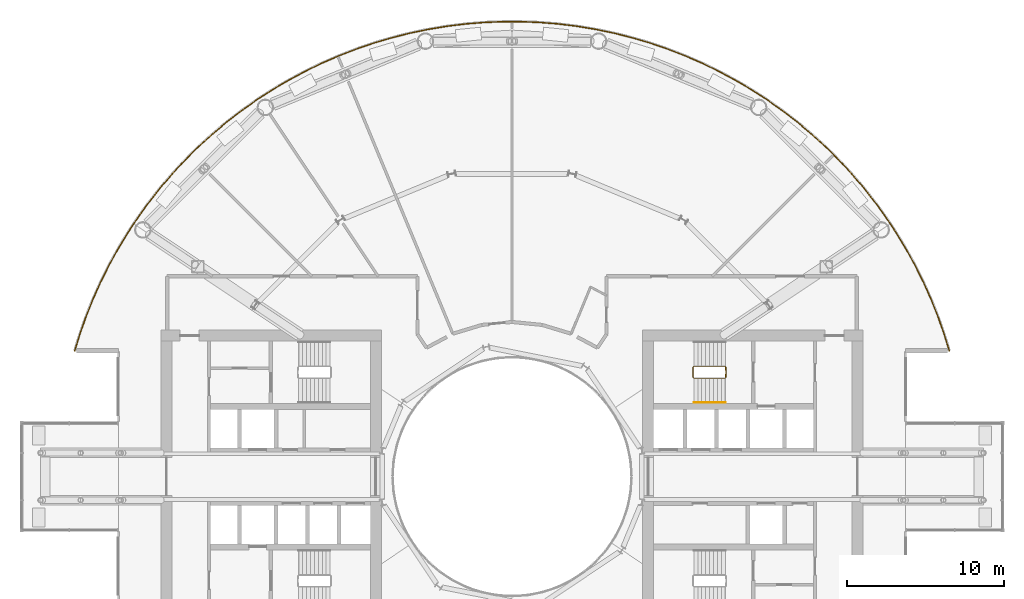
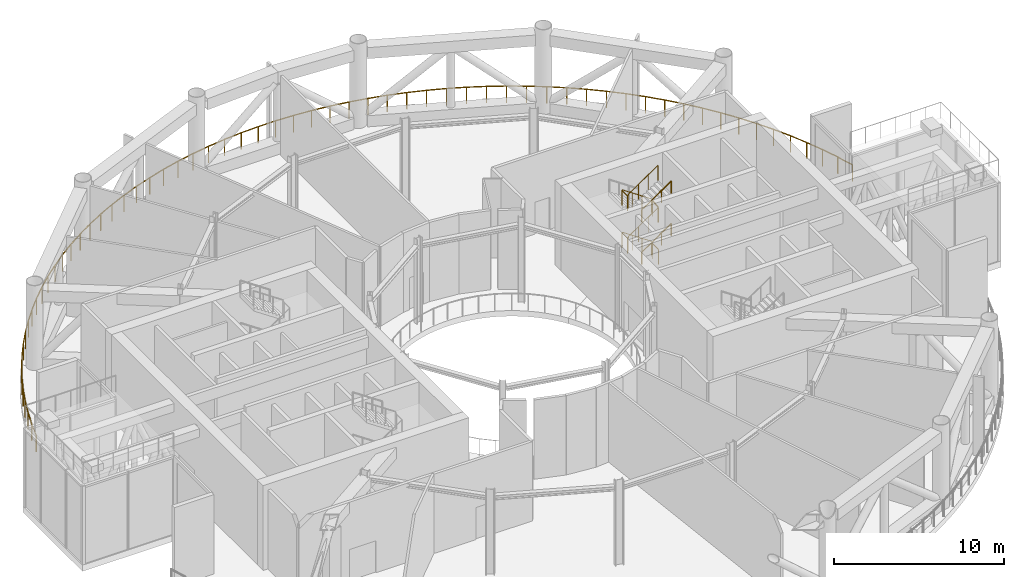
# One storey, part 22 of 23: 4 railings.
"""IFC4 building model written with IfcOpenShell, lengths in metres."""

from ifc_helpers import new_model, si_unit, direction, frame, origin, origin_2d, place, context, subcontext, project, spatial, circle, extrude, material, type_object, element, save


model = new_model("IFC4")

# Units and contexts
model_context = context("Model", 3, precision=1e-05, world=origin(), true_north=direction((0.0, 1.0)))
body_context = subcontext(model_context, "Body", "Model", "MODEL_VIEW")
ifc_project = project(units=[si_unit("LENGTHUNIT", "METRE"), si_unit("AREAUNIT", "SQUARE_METRE"), si_unit("VOLUMEUNIT", "CUBIC_METRE"), si_unit("PLANEANGLEUNIT", "RADIAN"), si_unit("MASSUNIT", "GRAM", prefix="KILO")], contexts=[model_context])

# Site, building, storey
site_placement = place(None, origin())
site = spatial("IfcSite", under=ifc_project, at=site_placement, CompositionType="ELEMENT")
building_placement = place(site_placement, origin())
building = spatial("IfcBuilding", under=site, at=building_placement, Name="Maasbend Ring Residences", CompositionType="ELEMENT")
storey_placement = place(building_placement, frame((0.0, 0.0, 97.14990234375)))
storey = spatial("IfcBuildingStorey", under=building, at=storey_placement, Name="L28", CompositionType="ELEMENT", Elevation=97.14990234375)

# Railings
ifc_material_1 = material(Name="Stainless steel 316 and glass", Category="steel")
railing_type_1 = type_object("IfcRailingType", Name="RL-GUARD", PredefinedType="GUARDRAIL", material=ifc_material_1)
railing_1_placement = place(storey_placement, frame((27.778564453125, 7.972412109375, 0.0)))
element("IfcRailing", 1, at=railing_1_placement, inside=storey, type_object=railing_type_1, Name="Garden guard outer 1", PredefinedType="GUARDRAIL", context=body_context, shape_type="SweptSolid", body=[
    extrude(circle(Radius=0.02490234375, at=origin_2d()), frame((0.0, 0.0, 1.1748046875), z_axis=(-0.295504624123, 0.95534130923, 0.0), x_axis=(-0.95534130923, -0.295504624123, 0.0)), (0.0, 0.0, 1.0), 1.184814453125),
    extrude(circle(Radius=0.02490234375, at=origin_2d()), frame((-0.35009765625, 1.1318359375, 1.1748046875), z_axis=(-0.334285842511, 0.94247173724, 0.0), x_axis=(-0.94247173724, -0.334285842511, 0.0)), (0.0, 0.0, 1.0), 1.1845703125),
    extrude(circle(Radius=0.02490234375, at=origin_2d()), frame((-0.74609375, 2.248291015625, 1.1748046875), z_axis=(-0.372847180885, 0.927892763042, 0.0), x_axis=(-0.927892763042, -0.372847180885, 0.0)), (0.0, 0.0, 1.0), 1.1845703125),
    extrude(circle(Radius=0.02490234375, at=origin_2d()), frame((-1.187744140625, 3.347412109375, 1.1748046875), z_axis=(-0.410493199792, 0.911863659175, 0.0), x_axis=(-0.911863659175, -0.410493199792, 0.0)), (0.0, 0.0, 1.0), 1.184814453125),
    extrude(circle(Radius=0.02490234375, at=origin_2d()), frame((-1.674072265625, 4.427734375, 1.1748046875), z_axis=(-0.447460908245, 0.894303491882, 0.0), x_axis=(-0.894303491882, -0.447460908245, 0.0)), (0.0, 0.0, 1.0), 1.1845703125),
    extrude(circle(Radius=0.02490234375, at=origin_2d()), frame((-2.2041015625, 5.487060546875, 1.1748046875), z_axis=(-0.483839805506, 0.875156581766, 0.0), x_axis=(-0.875156581766, -0.483839805506, 0.0)), (0.0, 0.0, 1.0), 1.184814453125),
    extrude(circle(Radius=0.02490234375, at=origin_2d()), frame((-2.77734375, 6.52392578125, 1.1748046875), z_axis=(-0.51915559987, 0.854679743017, 0.0), x_axis=(-0.854679743017, -0.51915559987, 0.0)), (0.0, 0.0, 1.0), 1.1845703125),
    extrude(circle(Radius=0.02490234375, at=origin_2d()), frame((-3.392333984375, 7.536376953125, 1.1748046875), z_axis=(-0.553796190877, 0.832652255729, 0.0), x_axis=(-0.832652255729, -0.553796190877, 0.0)), (0.0, 0.0, 1.0), 1.1845703125),
    extrude(circle(Radius=0.02490234375, at=origin_2d()), frame((-4.04833984375, 8.522705078125, 1.1748046875), z_axis=(-0.58749759803, 0.809225909317, 0.0), x_axis=(-0.809225909317, -0.58749759803, 0.0)), (0.0, 0.0, 1.0), 1.184814453125),
    extrude(circle(Radius=0.02490234375, at=origin_2d()), frame((-4.744384765625, 9.4814453125, 1.1748046875), z_axis=(-0.620185444157, 0.78445523445, 0.0), x_axis=(-0.78445523445, -0.620185444157, 0.0)), (0.0, 0.0, 1.0), 1.1845703125),
    extrude(circle(Radius=0.02490234375, at=origin_2d()), frame((-5.47900390625, 10.41064453125, 1.1748046875), z_axis=(-0.65182600946, 0.758368547206, 0.0), x_axis=(-0.758368547206, -0.65182600946, 0.0)), (0.0, 0.0, 1.0), 1.184814453125),
    extrude(circle(Radius=0.02490234375, at=origin_2d()), frame((-6.251220703125, 11.30908203125, 1.1748046875), z_axis=(-0.682156690758, 0.731206023809, 0.0), x_axis=(-0.731206023809, -0.682156690758, 0.0)), (0.0, 0.0, 1.0), 1.1845703125),
    extrude(circle(Radius=0.02490234375, at=origin_2d()), frame((-7.059326171875, 12.17529296875, 1.1748046875), z_axis=(-0.711830937603, 0.702350849841, 0.0), x_axis=(-0.702350849841, -0.711830937603, 0.0)), (0.0, 0.0, 1.0), 1.1845703125),
    extrude(circle(Radius=0.02490234375, at=origin_2d()), frame((-7.902587890625, 13.00732421875, 1.1748046875), z_axis=(-0.739800189204, 0.672826634471, 0.0), x_axis=(-0.672826634471, -0.739800189204, 0.0)), (0.0, 0.0, 1.0), 1.184814453125),
    extrude(circle(Radius=0.02490234375, at=origin_2d()), frame((-8.779052734375, 13.804443359375, 1.1748046875), z_axis=(-0.766885051085, 0.641784479731, 0.0), x_axis=(-0.641784479731, -0.766885051085, 0.0)), (0.0, 0.0, 1.0), 1.1845703125),
    extrude(circle(Radius=0.02490234375, at=origin_2d()), frame((-9.6875, 14.564697265625, 1.1748046875), z_axis=(-0.792493715501, 0.609880079107, 0.0), x_axis=(-0.609880079107, -0.792493715501, 0.0)), (0.0, 0.0, 1.0), 1.1845703125),
    extrude(circle(Radius=0.02490234375, at=origin_2d()), frame((-10.626220703125, 15.287109375, 1.1748046875), z_axis=(-0.816785089041, 0.576942040695, 0.0), x_axis=(-0.576942040695, -0.816785089041, 0.0)), (0.0, 0.0, 1.0), 1.184814453125),
    extrude(circle(Radius=0.02490234375, at=origin_2d()), frame((-11.593994140625, 15.970703125, 1.1748046875), z_axis=(-0.839829939632, 0.542849585519, 0.0), x_axis=(-0.542849585519, -0.839829939632, 0.0)), (0.0, 0.0, 1.0), 1.1845703125),
    extrude(circle(Radius=0.02490234375, at=origin_2d()), frame((-12.5888671875, 16.61376953125, 1.1748046875), z_axis=(-0.861324276781, 0.508055597575, 0.0), x_axis=(-0.508055597575, -0.861324276781, 0.0)), (0.0, 0.0, 1.0), 1.1845703125),
    extrude(circle(Radius=0.02490234375, at=origin_2d()), frame((-13.609130859375, 17.215576171875, 1.1748046875), z_axis=(-0.881415624836, 0.472341503887, 0.0), x_axis=(-0.472341503887, -0.881415624836, 0.0)), (0.0, 0.0, 1.0), 1.1845703125),
    extrude(circle(Radius=0.02490234375, at=origin_2d()), frame((-14.6533203125, 17.775146484375, 1.1748046875), z_axis=(-0.900002799964, 0.435884113104, 0.0), x_axis=(-0.435884113104, -0.900002799964, 0.0)), (0.0, 0.0, 1.0), 1.1845703125),
    extrude(circle(Radius=0.02490234375, at=origin_2d()), frame((-15.719482421875, 18.29150390625, 1.1748046875), z_axis=(-0.917129024526, 0.398590456951, 0.0), x_axis=(-0.398590456951, -0.917129024526, 0.0)), (0.0, 0.0, 1.0), 1.1845703125),
    extrude(circle(Radius=0.02490234375, at=origin_2d()), frame((-16.805908203125, 18.763671875, 1.1748046875), z_axis=(-0.932706782024, 0.360635631582, 0.0), x_axis=(-0.360635631582, -0.932706782024, 0.0)), (0.0, 0.0, 1.0), 1.184814453125),
    extrude(circle(Radius=0.02490234375, at=origin_2d()), frame((-17.910888671875, 19.19091796875, 1.1748046875), z_axis=(-0.946770232419, 0.321910122559, 0.0), x_axis=(-0.321910122559, -0.946770232419, 0.0)), (0.0, 0.0, 1.0), 1.1845703125),
    extrude(circle(Radius=0.02490234375, at=origin_2d()), frame((-19.032470703125, 19.572265625, 1.1748046875), z_axis=(-0.959076230705, 0.283147989039, 0.0), x_axis=(-0.283147989039, -0.959076230705, 0.0)), (0.0, 0.0, 1.0), 1.184814453125),
    extrude(circle(Radius=0.02490234375, at=origin_2d()), frame((-20.168701171875, 19.90771484375, 1.1748046875), z_axis=(-0.969923880017, 0.243408436528, 0.0), x_axis=(-0.243408436528, -0.969923880017, 0.0)), (0.0, 0.0, 1.0), 1.1845703125),
    extrude(circle(Radius=0.02490234375, at=origin_2d()), frame((-21.317626953125, 20.196044921875, 1.1748046875), z_axis=(-0.979054075839, 0.203600384536, 0.0), x_axis=(-0.203600384536, -0.979054075839, 0.0)), (0.0, 0.0, 1.0), 1.184814453125),
    extrude(circle(Radius=0.02490234375, at=origin_2d()), frame((-22.4775390625, 20.437255859375, 1.1748046875), z_axis=(-0.986588187234, 0.163229129787, 0.0), x_axis=(-0.163229129787, -0.986588187234, 0.0)), (0.0, 0.0, 1.0), 1.1845703125),
    extrude(circle(Radius=0.02490234375, at=origin_2d()), frame((-23.646240234375, 20.630615234375, 1.1748046875), z_axis=(-0.992454401235, 0.122614279222, 0.0), x_axis=(-0.122614279222, -0.992454401235, 0.0)), (0.0, 0.0, 1.0), 1.184814453125),
    extrude(circle(Radius=0.02490234375, at=origin_2d()), frame((-24.822021484375, 20.77587890625, 1.1748046875), z_axis=(-0.996630509683, 0.082022113907, 0.0), x_axis=(-0.082022113907, -0.996630509683, 0.0)), (0.0, 0.0, 1.0), 1.1845703125),
    extrude(circle(Radius=0.02490234375, at=origin_2d()), frame((-26.002685546875, 20.873046875, 1.1748046875), z_axis=(-0.999158599932, 0.041013317118, 0.0), x_axis=(-0.041013317118, -0.999158599932, 0.0)), (0.0, 0.0, 1.0), 1.1845703125),
    extrude(circle(Radius=0.02490234375, at=origin_2d()), frame((-27.186279296875, 20.921630859375, 1.1748046875), z_axis=(-1.0, 0.0, 0.0), x_axis=(0.0, -1.0, 0.0)), (0.0, 0.0, 1.0), 1.1845703125),
    extrude(circle(Radius=0.02490234375, at=origin_2d()), frame((-28.370849609375, 20.921630859375, 1.1748046875), z_axis=(-0.999158599932, -0.041013317118, 0.0), x_axis=(0.041013317118, -0.999158599932, 0.0)), (0.0, 0.0, 1.0), 1.1845703125),
    extrude(circle(Radius=0.02490234375, at=origin_2d()), frame((-29.554443359375, 20.873046875, 1.1748046875), z_axis=(-0.996630509683, -0.082022113907, 0.0), x_axis=(0.082022113907, -0.996630509683, 0.0)), (0.0, 0.0, 1.0), 1.1845703125),
    extrude(circle(Radius=0.02490234375, at=origin_2d()), frame((-30.735107421875, 20.77587890625, 1.1748046875), z_axis=(-0.992454401235, -0.122614279222, 0.0), x_axis=(0.122614279222, -0.992454401235, 0.0)), (0.0, 0.0, 1.0), 1.184814453125),
    extrude(circle(Radius=0.02490234375, at=origin_2d()), frame((-31.910888671875, 20.630615234375, 1.1748046875), z_axis=(-0.986588187234, -0.163229129787, 0.0), x_axis=(0.163229129787, -0.986588187234, 0.0)), (0.0, 0.0, 1.0), 1.1845703125),
    extrude(circle(Radius=0.02490234375, at=origin_2d()), frame((-33.07958984375, 20.437255859375, 1.1748046875), z_axis=(-0.979054075839, -0.203600384536, 0.0), x_axis=(0.203600384536, -0.979054075839, 0.0)), (0.0, 0.0, 1.0), 1.184814453125),
    extrude(circle(Radius=0.02490234375, at=origin_2d()), frame((-34.239501953125, 20.196044921875, 1.1748046875), z_axis=(-0.969923880017, -0.243408436528, 0.0), x_axis=(0.243408436528, -0.969923880017, 0.0)), (0.0, 0.0, 1.0), 1.1845703125),
    extrude(circle(Radius=0.02490234375, at=origin_2d()), frame((-35.388427734375, 19.90771484375, 1.1748046875), z_axis=(-0.959076230705, -0.283147989039, 0.0), x_axis=(0.283147989039, -0.959076230705, 0.0)), (0.0, 0.0, 1.0), 1.184814453125),
    extrude(circle(Radius=0.02490234375, at=origin_2d()), frame((-36.524658203125, 19.572265625, 1.1748046875), z_axis=(-0.946770232419, -0.321910122559, 0.0), x_axis=(0.321910122559, -0.946770232419, 0.0)), (0.0, 0.0, 1.0), 1.1845703125),
    extrude(circle(Radius=0.02490234375, at=origin_2d()), frame((-37.646240234375, 19.19091796875, 1.1748046875), z_axis=(-0.932706782024, -0.360635631582, 0.0), x_axis=(0.360635631582, -0.932706782024, 0.0)), (0.0, 0.0, 1.0), 1.184814453125),
    extrude(circle(Radius=0.02490234375, at=origin_2d()), frame((-38.751220703125, 18.763671875, 1.1748046875), z_axis=(-0.917129024526, -0.398590456951, 0.0), x_axis=(0.398590456951, -0.917129024526, 0.0)), (0.0, 0.0, 1.0), 1.1845703125),
    extrude(circle(Radius=0.02490234375, at=origin_2d()), frame((-39.837646484375, 18.29150390625, 1.1748046875), z_axis=(-0.900002799964, -0.435884113104, 0.0), x_axis=(0.435884113104, -0.900002799964, 0.0)), (0.0, 0.0, 1.0), 1.1845703125),
    extrude(circle(Radius=0.02490234375, at=origin_2d()), frame((-40.90380859375, 17.775146484375, 1.1748046875), z_axis=(-0.881415624836, -0.472341503887, 0.0), x_axis=(0.472341503887, -0.881415624836, 0.0)), (0.0, 0.0, 1.0), 1.1845703125),
    extrude(circle(Radius=0.02490234375, at=origin_2d()), frame((-41.947998046875, 17.215576171875, 1.1748046875), z_axis=(-0.861324276781, -0.508055597575, 0.0), x_axis=(0.508055597575, -0.861324276781, 0.0)), (0.0, 0.0, 1.0), 1.1845703125),
    extrude(circle(Radius=0.02490234375, at=origin_2d()), frame((-42.96826171875, 16.61376953125, 1.1748046875), z_axis=(-0.839829939632, -0.542849585519, 0.0), x_axis=(0.542849585519, -0.839829939632, 0.0)), (0.0, 0.0, 1.0), 1.1845703125),
    extrude(circle(Radius=0.02490234375, at=origin_2d()), frame((-43.963134765625, 15.970703125, 1.1748046875), z_axis=(-0.816785089041, -0.576942040695, 0.0), x_axis=(0.576942040695, -0.816785089041, 0.0)), (0.0, 0.0, 1.0), 1.184814453125),
    extrude(circle(Radius=0.02490234375, at=origin_2d()), frame((-44.930908203125, 15.287109375, 1.1748046875), z_axis=(-0.792493715501, -0.609880079107, 0.0), x_axis=(0.609880079107, -0.792493715501, 0.0)), (0.0, 0.0, 1.0), 1.1845703125),
    extrude(circle(Radius=0.02490234375, at=origin_2d()), frame((-45.86962890625, 14.564697265625, 1.1748046875), z_axis=(-0.766885051085, -0.641784479731, 0.0), x_axis=(0.641784479731, -0.766885051085, 0.0)), (0.0, 0.0, 1.0), 1.1845703125),
    extrude(circle(Radius=0.02490234375, at=origin_2d()), frame((-46.778076171875, 13.804443359375, 1.1748046875), z_axis=(-0.739800189204, -0.672826634471, 0.0), x_axis=(0.672826634471, -0.739800189204, 0.0)), (0.0, 0.0, 1.0), 1.184814453125),
    extrude(circle(Radius=0.02490234375, at=origin_2d()), frame((-47.654541015625, 13.00732421875, 1.1748046875), z_axis=(-0.711830937603, -0.702350849841, 0.0), x_axis=(0.702350849841, -0.711830937603, 0.0)), (0.0, 0.0, 1.0), 1.1845703125),
    extrude(circle(Radius=0.02490234375, at=origin_2d()), frame((-48.497802734375, 12.17529296875, 1.1748046875), z_axis=(-0.682156690758, -0.731206023809, 0.0), x_axis=(0.731206023809, -0.682156690758, 0.0)), (0.0, 0.0, 1.0), 1.1845703125),
    extrude(circle(Radius=0.02490234375, at=origin_2d()), frame((-49.305908203125, 11.30908203125, 1.1748046875), z_axis=(-0.65182600946, -0.758368547206, 0.0), x_axis=(0.758368547206, -0.65182600946, 0.0)), (0.0, 0.0, 1.0), 1.184814453125),
    extrude(circle(Radius=0.02490234375, at=origin_2d()), frame((-50.078125, 10.41064453125, 1.1748046875), z_axis=(-0.620185444157, -0.78445523445, 0.0), x_axis=(0.78445523445, -0.620185444157, 0.0)), (0.0, 0.0, 1.0), 1.1845703125),
    extrude(circle(Radius=0.02490234375, at=origin_2d()), frame((-50.812744140625, 9.4814453125, 1.1748046875), z_axis=(-0.58749759803, -0.809225909317, 0.0), x_axis=(0.809225909317, -0.58749759803, 0.0)), (0.0, 0.0, 1.0), 1.184814453125),
    extrude(circle(Radius=0.02490234375, at=origin_2d()), frame((-51.5087890625, 8.522705078125, 1.1748046875), z_axis=(-0.553796190877, -0.832652255729, 0.0), x_axis=(0.832652255729, -0.553796190877, 0.0)), (0.0, 0.0, 1.0), 1.1845703125),
    extrude(circle(Radius=0.02490234375, at=origin_2d()), frame((-52.164794921875, 7.536376953125, 1.1748046875), z_axis=(-0.51915559987, -0.854679743017, 0.0), x_axis=(0.854679743017, -0.51915559987, 0.0)), (0.0, 0.0, 1.0), 1.1845703125),
    extrude(circle(Radius=0.02490234375, at=origin_2d()), frame((-52.77978515625, 6.52392578125, 1.1748046875), z_axis=(-0.483839805506, -0.875156581766, 0.0), x_axis=(0.875156581766, -0.483839805506, 0.0)), (0.0, 0.0, 1.0), 1.184814453125),
    extrude(circle(Radius=0.02490234375, at=origin_2d()), frame((-53.35302734375, 5.487060546875, 1.1748046875), z_axis=(-0.447460908245, -0.894303491882, 0.0), x_axis=(0.894303491882, -0.447460908245, 0.0)), (0.0, 0.0, 1.0), 1.1845703125),
    extrude(circle(Radius=0.02490234375, at=origin_2d()), frame((-53.883056640625, 4.427734375, 1.1748046875), z_axis=(-0.410493199792, -0.911863659175, 0.0), x_axis=(0.911863659175, -0.410493199792, 0.0)), (0.0, 0.0, 1.0), 1.184814453125),
    extrude(circle(Radius=0.02490234375, at=origin_2d()), frame((-54.369384765625, 3.347412109375, 1.1748046875), z_axis=(-0.372847180885, -0.927892763042, 0.0), x_axis=(0.927892763042, -0.372847180885, 0.0)), (0.0, 0.0, 1.0), 1.1845703125),
    extrude(circle(Radius=0.02490234375, at=origin_2d()), frame((-54.81103515625, 2.248291015625, 1.1748046875), z_axis=(-0.334285842511, -0.94247173724, 0.0), x_axis=(0.94247173724, -0.334285842511, 0.0)), (0.0, 0.0, 1.0), 1.1845703125),
    extrude(circle(Radius=0.02490234375, at=origin_2d()), frame((-55.20703125, 1.1318359375, 1.1748046875), z_axis=(-0.295504624123, -0.95534130923, 0.0), x_axis=(0.95534130923, -0.295504624123, 0.0)), (0.0, 0.0, 1.0), 1.184814453125),
    extrude(circle(Radius=0.02001953125, at=origin_2d()), origin(), (0.0, 0.0, 1.0), 1.14990234375),
    extrude(circle(Radius=0.02001953125, at=origin_2d()), frame((-0.35009765625, 1.1318359375, 0.0)), (0.0, 0.0, 1.0), 1.14990234375),
    extrude(circle(Radius=0.02001953125, at=origin_2d()), frame((-0.74609375, 2.248291015625, 0.0)), (0.0, 0.0, 1.0), 1.14990234375),
    extrude(circle(Radius=0.02001953125, at=origin_2d()), frame((-1.187744140625, 3.347412109375, 0.0)), (0.0, 0.0, 1.0), 1.14990234375),
    extrude(circle(Radius=0.02001953125, at=origin_2d()), frame((-1.674072265625, 4.427734375, 0.0)), (0.0, 0.0, 1.0), 1.14990234375),
    extrude(circle(Radius=0.02001953125, at=origin_2d()), frame((-2.2041015625, 5.487060546875, 0.0)), (0.0, 0.0, 1.0), 1.14990234375),
    extrude(circle(Radius=0.02001953125, at=origin_2d()), frame((-2.77734375, 6.52392578125, 0.0)), (0.0, 0.0, 1.0), 1.14990234375),
    extrude(circle(Radius=0.02001953125, at=origin_2d()), frame((-3.392333984375, 7.536376953125, 0.0)), (0.0, 0.0, 1.0), 1.14990234375),
    extrude(circle(Radius=0.02001953125, at=origin_2d()), frame((-4.04833984375, 8.522705078125, 0.0)), (0.0, 0.0, 1.0), 1.14990234375),
    extrude(circle(Radius=0.02001953125, at=origin_2d()), frame((-4.744384765625, 9.4814453125, 0.0)), (0.0, 0.0, 1.0), 1.14990234375),
    extrude(circle(Radius=0.02001953125, at=origin_2d()), frame((-5.47900390625, 10.41064453125, 0.0)), (0.0, 0.0, 1.0), 1.14990234375),
    extrude(circle(Radius=0.02001953125, at=origin_2d()), frame((-6.251220703125, 11.30908203125, 0.0)), (0.0, 0.0, 1.0), 1.14990234375),
    extrude(circle(Radius=0.02001953125, at=origin_2d()), frame((-7.059326171875, 12.17529296875, 0.0)), (0.0, 0.0, 1.0), 1.14990234375),
    extrude(circle(Radius=0.02001953125, at=origin_2d()), frame((-7.902587890625, 13.00732421875, 0.0)), (0.0, 0.0, 1.0), 1.14990234375),
    extrude(circle(Radius=0.02001953125, at=origin_2d()), frame((-8.779052734375, 13.804443359375, 0.0)), (0.0, 0.0, 1.0), 1.14990234375),
    extrude(circle(Radius=0.02001953125, at=origin_2d()), frame((-9.6875, 14.564697265625, 0.0)), (0.0, 0.0, 1.0), 1.14990234375),
    extrude(circle(Radius=0.02001953125, at=origin_2d()), frame((-10.626220703125, 15.287109375, 0.0)), (0.0, 0.0, 1.0), 1.14990234375),
    extrude(circle(Radius=0.02001953125, at=origin_2d()), frame((-11.593994140625, 15.970703125, 0.0)), (0.0, 0.0, 1.0), 1.14990234375),
    extrude(circle(Radius=0.02001953125, at=origin_2d()), frame((-12.5888671875, 16.61376953125, 0.0)), (0.0, 0.0, 1.0), 1.14990234375),
    extrude(circle(Radius=0.02001953125, at=origin_2d()), frame((-13.609130859375, 17.215576171875, 0.0)), (0.0, 0.0, 1.0), 1.14990234375),
    extrude(circle(Radius=0.02001953125, at=origin_2d()), frame((-14.6533203125, 17.775146484375, 0.0)), (0.0, 0.0, 1.0), 1.14990234375),
    extrude(circle(Radius=0.02001953125, at=origin_2d()), frame((-15.719482421875, 18.29150390625, 0.0)), (0.0, 0.0, 1.0), 1.14990234375),
    extrude(circle(Radius=0.02001953125, at=origin_2d()), frame((-16.805908203125, 18.763671875, 0.0)), (0.0, 0.0, 1.0), 1.14990234375),
    extrude(circle(Radius=0.02001953125, at=origin_2d()), frame((-17.910888671875, 19.19091796875, 0.0)), (0.0, 0.0, 1.0), 1.14990234375),
    extrude(circle(Radius=0.02001953125, at=origin_2d()), frame((-19.032470703125, 19.572265625, 0.0)), (0.0, 0.0, 1.0), 1.14990234375),
    extrude(circle(Radius=0.02001953125, at=origin_2d()), frame((-20.168701171875, 19.90771484375, 0.0)), (0.0, 0.0, 1.0), 1.14990234375),
    extrude(circle(Radius=0.02001953125, at=origin_2d()), frame((-21.317626953125, 20.196044921875, 0.0)), (0.0, 0.0, 1.0), 1.14990234375),
    extrude(circle(Radius=0.02001953125, at=origin_2d()), frame((-22.4775390625, 20.437255859375, 0.0)), (0.0, 0.0, 1.0), 1.14990234375),
    extrude(circle(Radius=0.02001953125, at=origin_2d()), frame((-23.646240234375, 20.630615234375, 0.0)), (0.0, 0.0, 1.0), 1.14990234375),
    extrude(circle(Radius=0.02001953125, at=origin_2d()), frame((-24.822021484375, 20.77587890625, 0.0)), (0.0, 0.0, 1.0), 1.14990234375),
    extrude(circle(Radius=0.02001953125, at=origin_2d()), frame((-26.002685546875, 20.873046875, 0.0)), (0.0, 0.0, 1.0), 1.14990234375),
    extrude(circle(Radius=0.02001953125, at=origin_2d()), frame((-27.186279296875, 20.921630859375, 0.0)), (0.0, 0.0, 1.0), 1.14990234375),
    extrude(circle(Radius=0.02001953125, at=origin_2d()), frame((-28.370849609375, 20.921630859375, 0.0)), (0.0, 0.0, 1.0), 1.14990234375),
    extrude(circle(Radius=0.02001953125, at=origin_2d()), frame((-29.554443359375, 20.873046875, 0.0)), (0.0, 0.0, 1.0), 1.14990234375),
    extrude(circle(Radius=0.02001953125, at=origin_2d()), frame((-30.735107421875, 20.77587890625, 0.0)), (0.0, 0.0, 1.0), 1.14990234375),
    extrude(circle(Radius=0.02001953125, at=origin_2d()), frame((-31.910888671875, 20.630615234375, 0.0)), (0.0, 0.0, 1.0), 1.14990234375),
    extrude(circle(Radius=0.02001953125, at=origin_2d()), frame((-33.07958984375, 20.437255859375, 0.0)), (0.0, 0.0, 1.0), 1.14990234375),
    extrude(circle(Radius=0.02001953125, at=origin_2d()), frame((-34.239501953125, 20.196044921875, 0.0)), (0.0, 0.0, 1.0), 1.14990234375),
    extrude(circle(Radius=0.02001953125, at=origin_2d()), frame((-35.388427734375, 19.90771484375, 0.0)), (0.0, 0.0, 1.0), 1.14990234375),
    extrude(circle(Radius=0.02001953125, at=origin_2d()), frame((-36.524658203125, 19.572265625, 0.0)), (0.0, 0.0, 1.0), 1.14990234375),
    extrude(circle(Radius=0.02001953125, at=origin_2d()), frame((-37.646240234375, 19.19091796875, 0.0)), (0.0, 0.0, 1.0), 1.14990234375),
    extrude(circle(Radius=0.02001953125, at=origin_2d()), frame((-38.751220703125, 18.763671875, 0.0)), (0.0, 0.0, 1.0), 1.14990234375),
    extrude(circle(Radius=0.02001953125, at=origin_2d()), frame((-39.837646484375, 18.29150390625, 0.0)), (0.0, 0.0, 1.0), 1.14990234375),
    extrude(circle(Radius=0.02001953125, at=origin_2d()), frame((-40.90380859375, 17.775146484375, 0.0)), (0.0, 0.0, 1.0), 1.14990234375),
    extrude(circle(Radius=0.02001953125, at=origin_2d()), frame((-41.947998046875, 17.215576171875, 0.0)), (0.0, 0.0, 1.0), 1.14990234375),
    extrude(circle(Radius=0.02001953125, at=origin_2d()), frame((-42.96826171875, 16.61376953125, 0.0)), (0.0, 0.0, 1.0), 1.14990234375),
    extrude(circle(Radius=0.02001953125, at=origin_2d()), frame((-43.963134765625, 15.970703125, 0.0)), (0.0, 0.0, 1.0), 1.14990234375),
    extrude(circle(Radius=0.02001953125, at=origin_2d()), frame((-44.930908203125, 15.287109375, 0.0)), (0.0, 0.0, 1.0), 1.14990234375),
    extrude(circle(Radius=0.02001953125, at=origin_2d()), frame((-45.86962890625, 14.564697265625, 0.0)), (0.0, 0.0, 1.0), 1.14990234375),
    extrude(circle(Radius=0.02001953125, at=origin_2d()), frame((-46.778076171875, 13.804443359375, 0.0)), (0.0, 0.0, 1.0), 1.14990234375),
    extrude(circle(Radius=0.02001953125, at=origin_2d()), frame((-47.654541015625, 13.00732421875, 0.0)), (0.0, 0.0, 1.0), 1.14990234375),
    extrude(circle(Radius=0.02001953125, at=origin_2d()), frame((-48.497802734375, 12.17529296875, 0.0)), (0.0, 0.0, 1.0), 1.14990234375),
    extrude(circle(Radius=0.02001953125, at=origin_2d()), frame((-49.305908203125, 11.30908203125, 0.0)), (0.0, 0.0, 1.0), 1.14990234375),
    extrude(circle(Radius=0.02001953125, at=origin_2d()), frame((-50.078125, 10.41064453125, 0.0)), (0.0, 0.0, 1.0), 1.14990234375),
    extrude(circle(Radius=0.02001953125, at=origin_2d()), frame((-50.812744140625, 9.4814453125, 0.0)), (0.0, 0.0, 1.0), 1.14990234375),
    extrude(circle(Radius=0.02001953125, at=origin_2d()), frame((-51.5087890625, 8.522705078125, 0.0)), (0.0, 0.0, 1.0), 1.14990234375),
    extrude(circle(Radius=0.02001953125, at=origin_2d()), frame((-52.164794921875, 7.536376953125, 0.0)), (0.0, 0.0, 1.0), 1.14990234375),
    extrude(circle(Radius=0.02001953125, at=origin_2d()), frame((-52.77978515625, 6.52392578125, 0.0)), (0.0, 0.0, 1.0), 1.14990234375),
    extrude(circle(Radius=0.02001953125, at=origin_2d()), frame((-53.35302734375, 5.487060546875, 0.0)), (0.0, 0.0, 1.0), 1.14990234375),
    extrude(circle(Radius=0.02001953125, at=origin_2d()), frame((-53.883056640625, 4.427734375, 0.0)), (0.0, 0.0, 1.0), 1.14990234375),
    extrude(circle(Radius=0.02001953125, at=origin_2d()), frame((-54.369384765625, 3.347412109375, 0.0)), (0.0, 0.0, 1.0), 1.14990234375),
    extrude(circle(Radius=0.02001953125, at=origin_2d()), frame((-54.81103515625, 2.248291015625, 0.0)), (0.0, 0.0, 1.0), 1.14990234375),
    extrude(circle(Radius=0.02001953125, at=origin_2d()), frame((-55.20703125, 1.1318359375, 0.0)), (0.0, 0.0, 1.0), 1.14990234375),
    extrude(circle(Radius=0.02001953125, at=origin_2d()), frame((-55.55712890625, 0.0, 0.0)), (0.0, 0.0, 1.0), 1.14990234375),
])
ifc_material_2 = material(Name="Stainless steel 316", Category="steel")
railing_type_2 = type_object("IfcRailingType", Name="STAIR GUARD 1100", PredefinedType="GUARDRAIL", material=ifc_material_2)
railing_2_placement = place(storey_placement, frame((13.60009765625, 6.300048828125, 0.0)))
element("IfcRailing", 2, at=railing_2_placement, inside=storey, type_object=railing_type_2, Name="L28 ST-E1 stair guard 1", PredefinedType="GUARDRAIL", context=body_context, shape_type="SweptSolid", body=[
    extrude(circle(Radius=0.02392578125, at=origin_2d()), frame((0.0, 0.0, 1.076171875), z_axis=(0.0, 1.0, 0.0), x_axis=(-1.0, 0.0, 0.0)), (0.0, 0.0, 1.0), 0.64990234375),
    extrude(circle(Radius=0.02392578125, at=origin_2d()), frame((0.0, 0.64990234375, 1.076171875), z_axis=(-0.272562526181, 0.272562526181, 0.92272386912), x_axis=(-0.707106781187, -0.707106781187, 0.0)), (0.0, 0.0, 1.0), 0.18359375),
    extrude(circle(Radius=0.02392578125, at=origin_2d()), frame((-0.050048828125, 0.699951171875, 1.24560546875), z_axis=(-0.827750655447, 0.0, 0.561096116906), x_axis=(0.0, -1.0, 0.0)), (0.0, 0.0, 1.0), 2.416259765625),
    extrude(circle(Radius=0.02392578125, at=origin_2d()), frame((-2.050048828125, 0.699951171875, 2.60107421875), z_axis=(-0.707106781187, -0.707106781187, 0.0), x_axis=(0.707106781187, -0.707106781187, 0.0)), (0.0, 0.0, 1.0), 0.07080078125),
    extrude(circle(Radius=0.02392578125, at=origin_2d()), frame((-2.10009765625, 0.64990234375, 2.60107421875), z_axis=(0.0, -1.0, 0.0), x_axis=(1.0, 0.0, 0.0)), (0.0, 0.0, 1.0), 0.64990234375),
    extrude(circle(Radius=0.02392578125, at=origin_2d()), frame((-2.10009765625, 0.0, 2.60107421875), z_axis=(0.272562526181, -0.272562526181, 0.92272386912), x_axis=(0.707106781187, 0.707106781187, 0.0)), (0.0, 0.0, 1.0), 0.18359375),
    extrude(circle(Radius=0.02392578125, at=origin_2d()), frame((-2.050048828125, -0.050048828125, 2.7705078125), z_axis=(0.827797584762, 0.0, 0.561026878735), x_axis=(0.0, 1.0, 0.0)), (0.0, 0.0, 1.0), 2.416015625),
    extrude(circle(Radius=0.02392578125, at=origin_2d()), frame((-0.050048828125, -0.050048828125, 4.1259765625), z_axis=(0.071321223157, 0.997453398975, 0.0), x_axis=(-0.997453398975, 0.071321223157, 0.0)), (0.0, 0.0, 1.0), 0.70166015625),
    extrude(circle(Radius=0.02392578125, at=origin_2d()), frame((0.0, 0.64990234375, 4.1259765625), z_axis=(0.0, -1.0, 0.0), x_axis=(1.0, 0.0, 0.0)), (0.0, 0.0, 1.0), 0.64990234375),
    extrude(circle(Radius=0.02392578125, at=origin_2d()), frame((0.0, 0.0, 4.1259765625), z_axis=(-0.069328998915, 0.969591414091, 0.234704025594), x_axis=(-0.997453398975, -0.071321223157, 0.0)), (0.0, 0.0, 1.0), 0.721923828125),
    extrude(circle(Radius=0.02392578125, at=origin_2d()), frame((-0.050048828125, 0.699951171875, 4.29541015625), z_axis=(-0.827750655447, 0.0, 0.561096116906), x_axis=(0.0, -1.0, 0.0)), (0.0, 0.0, 1.0), 2.416259765625),
    extrude(circle(Radius=0.02392578125, at=origin_2d()), frame((-2.050048828125, 0.699951171875, 5.6513671875), z_axis=(-0.707106781187, -0.707106781187, 0.0), x_axis=(0.707106781187, -0.707106781187, 0.0)), (0.0, 0.0, 1.0), 0.07080078125),
    extrude(circle(Radius=0.02392578125, at=origin_2d()), frame((-2.10009765625, 0.64990234375, 5.6513671875), z_axis=(0.0, -1.0, 0.0), x_axis=(1.0, 0.0, 0.0)), (0.0, 0.0, 1.0), 0.64990234375),
    extrude(circle(Radius=0.02392578125, at=origin_2d()), frame((-2.10009765625, 0.0, 5.6513671875), z_axis=(0.272562526181, -0.272562526181, 0.92272386912), x_axis=(0.707106781187, 0.707106781187, 0.0)), (0.0, 0.0, 1.0), 0.18359375),
    extrude(circle(Radius=0.02392578125, at=origin_2d()), frame((-2.050048828125, -0.050048828125, 5.82080078125), z_axis=(0.827797584762, 0.0, 0.561026878735), x_axis=(0.0, 1.0, 0.0)), (0.0, 0.0, 1.0), 2.416015625),
    extrude(circle(Radius=0.02099609375, at=origin_2d()), origin(), (0.0, 0.0, 1.0), 1.052001953125),
    extrude(circle(Radius=0.02099609375, at=origin_2d()), frame((0.0, 0.64990234375, 0.0)), (0.0, 0.0, 1.0), 1.052001953125),
    extrude(circle(Radius=0.02099609375, at=origin_2d()), frame((-0.050048828125, 0.699951171875, 0.16943359375)), (0.0, 0.0, 1.0), 1.052001953125),
    extrude(circle(Radius=0.02099609375, at=origin_2d()), frame((-0.716796875, 0.699951171875, 0.621337890625)), (0.0, 0.0, 1.0), 1.052001953125),
    extrude(circle(Radius=0.02099609375, at=origin_2d()), frame((-1.38330078125, 0.699951171875, 1.0732421875)), (0.0, 0.0, 1.0), 1.052001953125),
    extrude(circle(Radius=0.02099609375, at=origin_2d()), frame((-2.050048828125, 0.699951171875, 1.525146484375)), (0.0, 0.0, 1.0), 1.052001953125),
    extrude(circle(Radius=0.02099609375, at=origin_2d()), frame((-2.10009765625, 0.64990234375, 1.525146484375)), (0.0, 0.0, 1.0), 1.052001953125),
    extrude(circle(Radius=0.02099609375, at=origin_2d()), frame((-2.10009765625, 0.0, 1.525146484375)), (0.0, 0.0, 1.0), 1.052001953125),
    extrude(circle(Radius=0.02099609375, at=origin_2d()), frame((-2.050048828125, -0.050048828125, 1.694580078125)), (0.0, 0.0, 1.0), 1.052001953125),
    extrude(circle(Radius=0.02099609375, at=origin_2d()), frame((-1.38330078125, -0.050048828125, 2.146484375)), (0.0, 0.0, 1.0), 1.052001953125),
    extrude(circle(Radius=0.02099609375, at=origin_2d()), frame((-0.716796875, -0.050048828125, 2.59814453125)), (0.0, 0.0, 1.0), 1.052001953125),
    extrude(circle(Radius=0.02099609375, at=origin_2d()), frame((-0.050048828125, -0.050048828125, 3.050048828125)), (0.0, 0.0, 1.0), 1.052001953125),
    extrude(circle(Radius=0.02099609375, at=origin_2d()), frame((0.0, 0.64990234375, 3.050048828125)), (0.0, 0.0, 1.0), 1.052001953125),
    extrude(circle(Radius=0.02099609375, at=origin_2d()), frame((0.0, 0.0, 3.050048828125)), (0.0, 0.0, 1.0), 1.052001953125),
    extrude(circle(Radius=0.02099609375, at=origin_2d()), frame((-0.050048828125, 0.699951171875, 3.219482421875)), (0.0, 0.0, 1.0), 1.052001953125),
    extrude(circle(Radius=0.02099609375, at=origin_2d()), frame((-0.716796875, 0.699951171875, 3.67138671875)), (0.0, 0.0, 1.0), 1.052001953125),
    extrude(circle(Radius=0.02099609375, at=origin_2d()), frame((-1.38330078125, 0.699951171875, 4.123291015625)), (0.0, 0.0, 1.0), 1.052001953125),
    extrude(circle(Radius=0.02099609375, at=origin_2d()), frame((-2.050048828125, 0.699951171875, 4.5751953125)), (0.0, 0.0, 1.0), 1.052001953125),
    extrude(circle(Radius=0.02099609375, at=origin_2d()), frame((-2.10009765625, 0.64990234375, 4.5751953125)), (0.0, 0.0, 1.0), 1.052001953125),
    extrude(circle(Radius=0.02099609375, at=origin_2d()), frame((-2.10009765625, 0.0, 4.5751953125)), (0.0, 0.0, 1.0), 1.052001953125),
    extrude(circle(Radius=0.02099609375, at=origin_2d()), frame((-2.050048828125, -0.050048828125, 4.74462890625)), (0.0, 0.0, 1.0), 1.052001953125),
    extrude(circle(Radius=0.02099609375, at=origin_2d()), frame((-1.38330078125, -0.050048828125, 5.196533203125)), (0.0, 0.0, 1.0), 1.052001953125),
    extrude(circle(Radius=0.02099609375, at=origin_2d()), frame((-0.716796875, -0.050048828125, 5.648193359375)), (0.0, 0.0, 1.0), 1.052001953125),
    extrude(circle(Radius=0.02099609375, at=origin_2d()), frame((-0.050048828125, -0.050048828125, 6.10009765625)), (0.0, 0.0, 1.0), 1.052001953125),
])
ifc_material_3 = material(Name="Stainless steel 316", Category="steel")
railing_type_3 = type_object("IfcRailingType", Name="STAIR HANDRAIL 900", PredefinedType="HANDRAIL", material=ifc_material_3)
for number, where, name in (
    (3, (11.550048828125, 4.699951171875, 1.694580078125), "L28 ST-E1 stair handrail 2"),
    (4, (11.550048828125, 4.699951171875, 4.74462890625), "L28 ST-E1 stair handrail 4"),
):
    element("IfcRailing", number, at=place(storey_placement, frame(where)), inside=storey, type_object=railing_type_3, Name=name, PredefinedType="HANDRAIL", context=body_context, shape_type="SweptSolid", body=[
        extrude(circle(Radius=0.02392578125, at=origin_2d()), frame((0.0, 0.0, 0.8759765625), z_axis=(0.827797584762, 0.0, 0.561026878735), x_axis=(0.0, 1.0, 0.0)), (0.0, 0.0, 1.0), 2.416015625),
        extrude(circle(Radius=0.02099609375, at=origin_2d()), origin(), (0.0, 0.0, 1.0), 0.851806640625),
        extrude(circle(Radius=0.02099609375, at=origin_2d()), frame((0.666748046875, 0.0, 0.451904296875)), (0.0, 0.0, 1.0), 0.851806640625),
        extrude(circle(Radius=0.02099609375, at=origin_2d()), frame((1.333251953125, 0.0, 0.903564453125)), (0.0, 0.0, 1.0), 0.851806640625),
        extrude(circle(Radius=0.02099609375, at=origin_2d()), frame((2.0, 0.0, 1.35546875)), (0.0, 0.0, 1.0), 0.851806640625),
    ])

save(model, "model.ifc")
